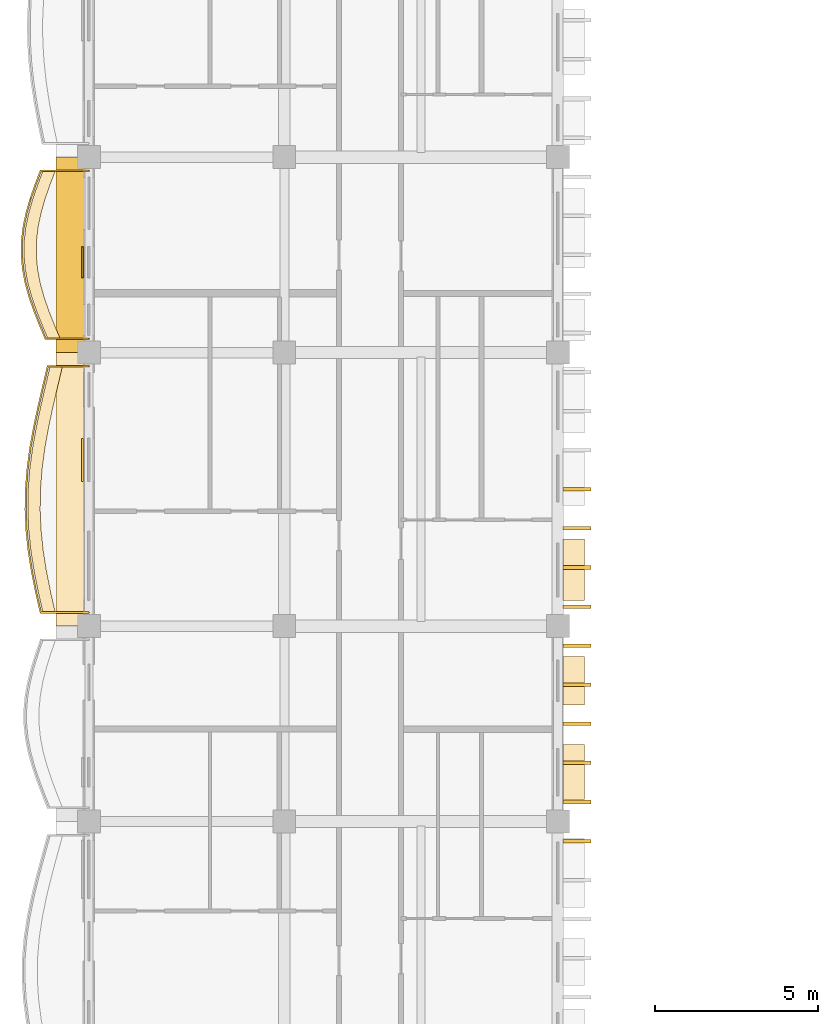
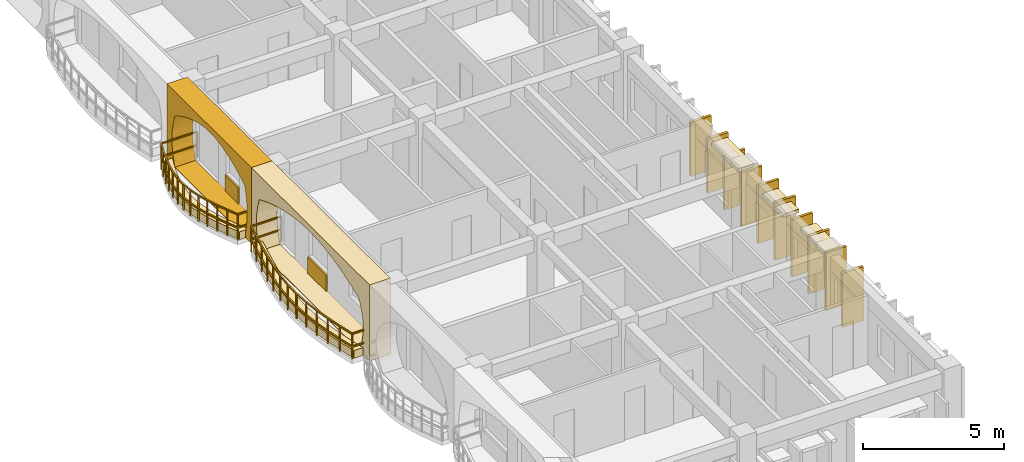
# One storey, part 49 of 70: 19 coverings, 2 railings.
"""IFC4 building model written with IfcOpenShell, lengths in metres."""

import ifcopenshell
import ifcopenshell.guid

model = None  # the IFC model being written
_history = None  # IfcOwnerHistory: only IFC2X3 demands one
_inside = {}  # id of a spatial element -> (the spatial element, [elements in it])
_under = {}  # id of a project, library or spatial element -> (it, [spatial elements below it])
_declared = {}  # id of a project -> (the project, [libraries it declares])
_typed = {}  # id of a type object -> (the type object, [elements of that type])
_made_of = {}  # id of a material, layer set ... -> (it, [elements and type objects made of it])


def new_model(schema):
    """Start an empty IFC model of exactly this schema.

    Asked for "IFC4X3", IfcOpenShell would pick the latest addendum, in which some entities
    have other attributes; the version numbers below select the first issue.
    IFC2X3 requires an IfcOwnerHistory on every rooted entity: one is made here for all.
    """
    global model, _history
    if schema == "IFC4X3":
        model = ifcopenshell.file(schema_version=(4, 3, 0, 0))
    else:
        model = ifcopenshell.file(schema=schema)
    _inside.clear()
    _under.clear()
    _declared.clear()
    _typed.clear()
    _made_of.clear()
    _history = None
    if model.schema == "IFC2X3":
        org = make("IfcOrganization", Name="unknown")
        user = make(
            "IfcPersonAndOrganization",
            ThePerson=make("IfcPerson", FamilyName="unknown"),
            TheOrganization=org,
        )
        app = make(
            "IfcApplication",
            ApplicationDeveloper=org,
            Version="unknown",
            ApplicationFullName="unknown",
            ApplicationIdentifier="unknown",
        )
        _history = make(
            "IfcOwnerHistory",
            OwningUser=user,
            OwningApplication=app,
            ChangeAction="ADDED",
            CreationDate=0,
        )
    return model


def make(cls, **values):
    """One entity of the class cls with the attributes given. An attribute that is None is left unset."""
    return model.create_entity(
        cls, **{name: value for name, value in values.items() if value is not None}
    )


def rooted(cls, **values):
    """An entity with a GlobalId (a new one), such as an element, a storey or a relation."""
    return make(cls, GlobalId=ifcopenshell.guid.new(), OwnerHistory=_history, **values)


def si_unit(unit_type, name, prefix=None):
    """IfcSIUnit, for example si_unit("LENGTHUNIT", "METRE", prefix="MILLI")."""
    return make("IfcSIUnit", UnitType=unit_type, Prefix=prefix, Name=name)


def assignment(units):
    """IfcUnitAssignment: the units of a project."""
    return None if units is None else make("IfcUnitAssignment", Units=units)


def point(xyz):
    """IfcCartesianPoint."""
    return None if xyz is None else make("IfcCartesianPoint", Coordinates=xyz)


def direction(xyz):
    """IfcDirection."""
    return None if xyz is None else make("IfcDirection", DirectionRatios=xyz)


def frame(location, z_axis=None, x_axis=None):
    """IfcAxis2Placement3D, a coordinate frame: its origin and axes. An axis left out is left unset."""
    return make(
        "IfcAxis2Placement3D",
        Location=point(location),
        Axis=direction(z_axis),
        RefDirection=direction(x_axis),
    )


def frame_2d(location, x_axis=None):
    """IfcAxis2Placement2D, a coordinate frame in the plane: its origin and x axis."""
    return make(
        "IfcAxis2Placement2D", Location=point(location), RefDirection=direction(x_axis)
    )


def origin():
    """The frame at (0, 0, 0) with its axes left unset."""
    return frame((0.0, 0.0, 0.0))


def origin_2d():
    """The frame at (0, 0) in the plane with its x axis left unset."""
    return frame_2d((0.0, 0.0))


def place(relative_to, where):
    """IfcLocalPlacement: puts the frame where relative to a parent placement (None: the world)."""
    return make(
        "IfcLocalPlacement", PlacementRelTo=relative_to, RelativePlacement=where
    )


def context(
    kind, dimensions, precision=None, world=None, true_north=None, identifier=None
):
    """IfcGeometricRepresentationContext, for example the 3D "Model" context."""
    return make(
        "IfcGeometricRepresentationContext",
        ContextIdentifier=identifier,
        ContextType=kind,
        CoordinateSpaceDimension=dimensions,
        Precision=precision,
        WorldCoordinateSystem=world,
        TrueNorth=true_north,
    )


def subcontext(parent, identifier, kind, view, scale=None):
    """IfcGeometricRepresentationSubContext, for example "Body" below "Model"."""
    return make(
        "IfcGeometricRepresentationSubContext",
        ContextIdentifier=identifier,
        ContextType=kind,
        ParentContext=parent,
        TargetScale=scale,
        TargetView=view,
    )


def project(units=None, contexts=None):
    """IfcProject with its units and contexts."""
    return rooted(
        "IfcProject",
        Name="project",
        RepresentationContexts=contexts,
        UnitsInContext=assignment(units),
    )


def spatial(cls, under=None, at=None, **own):
    """A site, building, storey or space (cls), placed at a placement, below another one or the project."""
    s = rooted(cls, ObjectPlacement=at, **own)
    if under is not None:
        _under.setdefault(under.id(), (under, []))[1].append(s)
    return s


def polyline(points):
    """IfcPolyline through the points."""
    return make("IfcPolyline", Points=[point(p) for p in points])


def profile(cls, at=None, kind="AREA", **sizes):
    """A parametric profile (cls). Its sizes go by their IFC names, for example OverallWidth=200.0."""
    return make(cls, ProfileType=kind, Position=at, **sizes)


def rectangle(**sizes):
    """IfcRectangleProfileDef."""
    return profile("IfcRectangleProfileDef", **sizes)


def outline(outer, holes=None, kind="AREA"):
    """IfcArbitraryClosedProfileDef: a profile drawn as a closed curve; with holes, ...WithVoids."""
    if holes is None:
        return make("IfcArbitraryClosedProfileDef", ProfileType=kind, OuterCurve=outer)
    return make(
        "IfcArbitraryProfileDefWithVoids",
        ProfileType=kind,
        OuterCurve=outer,
        InnerCurves=holes,
    )


def extrude(swept, where, along, depth):
    """IfcExtrudedAreaSolid: the profile swept, set in the frame where, extruded along a direction by depth."""
    return make(
        "IfcExtrudedAreaSolid",
        SweptArea=swept,
        Position=where,
        ExtrudedDirection=direction(along),
        Depth=depth,
    )


def shape(context_of_items, identifier, shape_type, items):
    """IfcShapeRepresentation: the items that make up one representation, for example the "Body"."""
    return make(
        "IfcShapeRepresentation",
        ContextOfItems=context_of_items,
        RepresentationIdentifier=identifier,
        RepresentationType=shape_type,
        Items=items,
    )


def material(Name=None, Category=None):
    """IfcMaterial."""
    return make("IfcMaterial", Name=Name, Category=Category)


def layer(
    of_material, thickness, ventilated=None, Name=None, Category=None, Priority=None
):
    """IfcMaterialLayer: one layer of a wall or slab, of a material (None: an air gap)."""
    return make(
        "IfcMaterialLayer",
        Material=of_material,
        LayerThickness=thickness,
        IsVentilated=ventilated,
        Name=Name,
        Category=Category,
        Priority=Priority,
    )


def layer_set(layers, Name=None):
    """IfcMaterialLayerSet."""
    return make("IfcMaterialLayerSet", MaterialLayers=layers, LayerSetName=Name)


def made_of(thing, what):
    """Note that an element or type object is made of a material, layer set ...; save() writes the relation."""
    if what is not None:
        _made_of.setdefault(what.id(), (what, []))[1].append(thing)
    return thing


def type_object(cls, material=None, **own):
    """A type object (cls), such as IfcWallType, which elements share."""
    return made_of(rooted(cls, **own), material)


def element(
    cls,
    number,
    at=None,
    inside=None,
    cuts=None,
    type_object=None,
    material=None,
    context=None,
    identifier="Body",
    shape_type=None,
    held_by="IfcProductDefinitionShape",
    body=None,
    shapes=None,
    **own,
):
    """One element of the class cls, such as IfcWall. Its Tag is "e" and its number.

    at: its placement. inside: the storey or other place that contains it. cuts: it is an
    opening in that element (IfcRelVoidsElement). A single representation is given by context,
    identifier, shape_type and body (its items); several are given by shapes. held_by: the class
    of the entity that holds the representations. save() writes the other relations.
    """
    e = rooted(cls, Tag="e%d" % number, ObjectPlacement=at, **own)
    if body is not None:
        shapes = [shape(context, identifier, shape_type, body)]
    if shapes is not None:
        e.Representation = make(held_by, Representations=shapes)
    if inside is not None:
        _inside.setdefault(inside.id(), (inside, []))[1].append(e)
    if cuts is not None:
        rooted(
            "IfcRelVoidsElement", RelatingBuildingElement=cuts, RelatedOpeningElement=e
        )
    if type_object is not None:
        _typed.setdefault(type_object.id(), (type_object, []))[1].append(e)
    return made_of(e, material)


def aggregate(whole, parts):
    """IfcRelAggregates: a whole, such as a stair, and the parts it consists of."""
    return rooted("IfcRelAggregates", RelatingObject=whole, RelatedObjects=parts)


def save(model, path):
    """Write the relations noted so far, then the file.

    IfcRelAggregates (storeys below a building ...), IfcRelContainedInSpatialStructure (elements
    in a storey), IfcRelDefinesByType, IfcRelAssociatesMaterial and IfcRelDeclares: one each for
    every whole, place, type object, material and project.
    """
    for whole, parts in _under.values():
        aggregate(whole, parts)
    for where, things in _inside.values():
        rooted(
            "IfcRelContainedInSpatialStructure",
            RelatedElements=things,
            RelatingStructure=where,
        )
    for kind, things in _typed.values():
        rooted("IfcRelDefinesByType", RelatedObjects=things, RelatingType=kind)
    for what, things in _made_of.values():
        rooted("IfcRelAssociatesMaterial", RelatedObjects=things, RelatingMaterial=what)
    for by, libraries in _declared.values():
        rooted("IfcRelDeclares", RelatingContext=by, RelatedDefinitions=libraries)
    model.write(path)


model = new_model("IFC4")

# Units and contexts
model_context = context("Model", 3, precision=1e-05, world=origin(), true_north=direction((0.0, 1.0)))
body_context = subcontext(model_context, "Body", "Model", "MODEL_VIEW")
ifc_project = project(units=[si_unit("LENGTHUNIT", "METRE"), si_unit("AREAUNIT", "SQUARE_METRE"), si_unit("VOLUMEUNIT", "CUBIC_METRE"), si_unit("PLANEANGLEUNIT", "RADIAN"), si_unit("MASSUNIT", "GRAM", prefix="KILO"), si_unit("THERMODYNAMICTEMPERATUREUNIT", "KELVIN")], contexts=[model_context])

# Site, building, storey
site_placement = place(None, origin())
site = spatial("IfcSite", under=ifc_project, at=site_placement, CompositionType="ELEMENT")
building_placement = place(site_placement, origin())
building = spatial("IfcBuilding", under=site, at=building_placement, Name="Thalorik Housing Commons", CompositionType="ELEMENT")
storey_placement = place(building_placement, frame((0.0, 0.0, 14.699951171875)))
storey = spatial("IfcBuildingStorey", under=building, at=storey_placement, Name="L04", CompositionType="ELEMENT", Elevation=14.699951171875)

# Coverings
ifc_material_1 = material(Name="Cobalt blue glazed ceramic facade tile panel", Category="masonry")
ifc_layer_1 = layer(ifc_material_1, 0.06005859375, Name="Cobalt blue glazed ceramic facade tile panel", Category="masonry")
ifc_layer_set_1 = layer_set([ifc_layer_1], Name="Cobalt blue glazed ceramic facade tile panel")
covering_type_1 = type_object("IfcCoveringType", Name="ARC-CLD-BLU-60", PredefinedType="CLADDING", material=ifc_layer_set_1)
covering_1_placement = place(storey_placement, frame((8.205078125, 97.574951171875, 0.05029296875), z_axis=(0.0, 0.0, 1.0), x_axis=(0.0, -1.0, 0.0)))
element("IfcCovering", 1, at=covering_1_placement, inside=storey, type_object=covering_type_1, Name="L04 De Stijl Recessed Window Spandrel 445", PredefinedType="CLADDING", context=body_context, shape_type="SweptSolid", body=[
    extrude(rectangle(XDim=0.949951171875, YDim=0.06005859375, at=origin_2d()), origin(), (0.0, 0.0, 1.0), 0.699951171875),
])
ifc_material_2 = material(Name="Precast concrete C40/50", Category="concrete")
ifc_layer_2 = layer(ifc_material_2, 0.85009765625, Name="Precast concrete C40/50", Category="concrete")
ifc_layer_set_2 = layer_set([ifc_layer_2], Name="Precast concrete C40/50")
covering_type_2 = type_object("IfcCoveringType", Name="ARC-CLD-CUSH-850", PredefinedType="CLADDING", material=ifc_layer_set_2)
covering_2_placement = place(storey_placement, frame((7.81494140625, 97.800048828125, 0.0), z_axis=(0.0, 0.0, 1.0), x_axis=(0.0, -1.0, 0.0)))
element("IfcCovering", 2, at=covering_2_placement, inside=storey, type_object=covering_type_2, Name="L04 White Precast Curved Cushion Bay Frame 444", PredefinedType="CLADDING", context=body_context, shape_type="SweptSolid", body=[
    extrude(outline(polyline([(-3.0, 0.0), (3.0, 0.0), (3.0, 3.300048828125), (-3.0, 3.300048828125), (-3.0, 0.0)]), holes=[polyline([(2.52001953125, 0.02490234375), (2.621337890625, 0.394287109375), (2.68212890625, 0.76318359375), (2.702392578125, 1.132568359375), (2.68212890625, 1.501708984375), (2.621337890625, 1.870849609375), (2.52001953125, 2.239990234375), (2.107421875, 2.4833984375), (1.695068359375, 2.6748046875), (1.282470703125, 2.82958984375), (0.8701171875, 2.94482421875), (0.45751953125, 3.01611328125), (0.044921875, 3.0400390625), (-0.367431640625, 3.01611328125), (-0.780029296875, 2.94482421875), (-1.1923828125, 2.82958984375), (-1.60498046875, 2.6748046875), (-2.017578125, 2.4833984375), (-2.429931640625, 2.239990234375), (-2.55029296875, 1.870849609375), (-2.62255859375, 1.501708984375), (-2.646484375, 1.132568359375), (-2.62255859375, 0.76318359375), (-2.55029296875, 0.394287109375), (-2.429931640625, 0.02490234375), (2.52001953125, 0.02490234375)])]), frame((0.0, 0.425048828125, 0.0), z_axis=(0.0, -1.0, 0.0), x_axis=(1.0, 0.0, 0.0)), (0.0, 0.0, 1.0), 0.85009765625),
])
covering_3_placement = place(storey_placement, frame((7.81494140625, 90.60009765625, 0.0), z_axis=(0.0, 0.0, 1.0), x_axis=(0.0, -1.0, 0.0)))
element("IfcCovering", 3, at=covering_3_placement, inside=storey, type_object=covering_type_2, Name="L04 White Precast Curved Cushion Bay Frame 446", PredefinedType="CLADDING", context=body_context, shape_type="SweptSolid", body=[
    extrude(outline(polyline([(-4.199951171875, 0.0), (4.199951171875, 0.0), (4.199951171875, 3.300048828125), (-4.199951171875, 3.300048828125), (-4.199951171875, 0.0)]), holes=[polyline([(3.449951171875, 0.02490234375), (3.61669921875, 0.3974609375), (3.716796875, 0.77001953125), (3.75, 1.142578125), (3.716796875, 1.514892578125), (3.61669921875, 1.887451171875), (3.449951171875, 2.260009765625), (2.860107421875, 2.497314453125), (2.27001953125, 2.683837890625), (1.679931640625, 2.8349609375), (1.090087890625, 2.947265625), (0.5, 3.0166015625), (-0.090087890625, 3.0400390625), (-0.679931640625, 3.0166015625), (-1.27001953125, 2.947265625), (-1.860107421875, 2.8349609375), (-2.449951171875, 2.683837890625), (-3.0400390625, 2.497314453125), (-3.6298828125, 2.260009765625), (-3.750244140625, 1.887451171875), (-3.822509765625, 1.514892578125), (-3.8466796875, 1.142578125), (-3.822509765625, 0.77001953125), (-3.750244140625, 0.3974609375), (-3.6298828125, 0.02490234375), (3.449951171875, 0.02490234375)])]), frame((0.0, 0.425048828125, 0.0), z_axis=(0.0, -1.0, 0.0), x_axis=(1.0, 0.0, 0.0)), (0.0, 0.0, 1.0), 0.85009765625),
])
ifc_layer_3 = layer(ifc_material_2, 0.85009765625, Name="Precast concrete C40/50", Category="concrete")
ifc_layer_set_3 = layer_set([ifc_layer_3], Name="Precast concrete C40/50")
covering_type_3 = type_object("IfcCoveringType", Name="ARC-CLD-FIN-850", PredefinedType="CLADDING", material=ifc_layer_set_3)
covering_4_placement = place(storey_placement, frame((23.385009765625, 79.800048828125, 0.0400390625), z_axis=(0.0, 0.0, 1.0), x_axis=(0.0, 1.0, 0.0)))
element("IfcCovering", 4, at=covering_4_placement, inside=storey, type_object=covering_type_3, Name="L04 Courtyard Precast Vertical Brise-Soleil Fin 475", PredefinedType="CLADDING", context=body_context, shape_type="SweptSolid", body=[
    extrude(rectangle(XDim=0.110107421875, YDim=0.85009765625, at=origin_2d()), origin(), (0.0, 0.0, 1.0), 2.344970703125),
])
for number, where, z_axis, x_axis, name in (
    (5, (23.385009765625, 81.0, 0.0400390625), (0.0, 0.0, 1.0), (0.0, 1.0, 0.0), "L04 Courtyard Precast Vertical Brise-Soleil Fin 479"),
    (6, (23.385009765625, 82.199951171875, 0.0400390625), (0.0, 0.0, 1.0), (0.0, 1.0, 0.0), "L04 Courtyard Precast Vertical Brise-Soleil Fin 480"),
    (7, (23.385009765625, 83.39990234375, 0.0400390625), (0.0, 0.0, 1.0), (0.0, 1.0, 0.0), "L04 Courtyard Precast Vertical Brise-Soleil Fin 481"),
    (8, (23.385009765625, 84.60009765625, 0.0400390625), (0.0, 0.0, 1.0), (0.0, 1.0, 0.0), "L04 Courtyard Precast Vertical Brise-Soleil Fin 482"),
    (9, (23.385009765625, 85.800048828125, 0.0400390625), (0.0, 0.0, 1.0), (0.0, 1.0, 0.0), "L04 Courtyard Precast Vertical Brise-Soleil Fin 483"),
):
    element("IfcCovering", number, at=place(storey_placement, frame(where, z_axis=z_axis, x_axis=x_axis)), inside=storey, type_object=covering_type_3, Name=name, PredefinedType="CLADDING", context=body_context, shape_type="SweptSolid", body=[
        extrude(rectangle(XDim=0.110107421875, YDim=0.85009765625, at=origin_2d()), origin(), (0.0, 0.0, 1.0), 2.4951171875),
    ])
for number, where, z_axis, x_axis, name in (
    (10, (23.385009765625, 87.0, 0.0400390625), (0.0, 0.0, 1.0), (0.0, 1.0, 0.0), "L04 Courtyard Precast Vertical Brise-Soleil Fin 486"),
    (11, (23.385009765625, 88.199951171875, 0.0400390625), (0.0, 0.0, 1.0), (0.0, 1.0, 0.0), "L04 Courtyard Precast Vertical Brise-Soleil Fin 487"),
    (12, (23.385009765625, 89.39990234375, 0.0400390625), (0.0, 0.0, 1.0), (0.0, 1.0, 0.0), "L04 Courtyard Precast Vertical Brise-Soleil Fin 488"),
    (13, (23.385009765625, 90.60009765625, 0.0400390625), (0.0, 0.0, 1.0), (0.0, 1.0, 0.0), "L04 Courtyard Precast Vertical Brise-Soleil Fin 489"),
):
    element("IfcCovering", number, at=place(storey_placement, frame(where, z_axis=z_axis, x_axis=x_axis)), inside=storey, type_object=covering_type_3, Name=name, PredefinedType="CLADDING", context=body_context, shape_type="SweptSolid", body=[
        extrude(rectangle(XDim=0.110107421875, YDim=0.85009765625, at=origin_2d()), origin(), (0.0, 0.0, 1.0), 2.344970703125),
    ])
ifc_layer_4 = layer(ifc_material_2, 0.64990234375, Name="Precast concrete C40/50", Category="concrete")
ifc_layer_set_4 = layer_set([ifc_layer_4], Name="Precast concrete C40/50")
covering_type_4 = type_object("IfcCoveringType", Name="ARC-CLD-HOOD-650", PredefinedType="CLADDING", material=ifc_layer_set_4)
covering_5_placement = place(storey_placement, frame((23.284912109375, 81.9150390625, 2.39013671875), z_axis=(0.0, 0.0, 1.0), x_axis=(0.0, 1.0, 0.0)))
element("IfcCovering", 14, at=covering_5_placement, inside=storey, type_object=covering_type_4, Name="L04 Courtyard Precast Window Sun-Hood 484", PredefinedType="CLADDING", context=body_context, shape_type="SweptSolid", body=[
    extrude(rectangle(XDim=1.68994140625, YDim=0.64990234375, at=origin_2d()), origin(), (0.0, 0.0, 1.0), 0.139892578125),
])
covering_6_placement = place(storey_placement, frame((23.284912109375, 84.72509765625, 2.240234375), z_axis=(0.0, 0.0, 1.0), x_axis=(0.0, 1.0, 0.0)))
element("IfcCovering", 15, at=covering_6_placement, inside=storey, type_object=covering_type_4, Name="L04 Courtyard Precast Window Sun-Hood 485", PredefinedType="CLADDING", context=body_context, shape_type="SweptSolid", body=[
    extrude(rectangle(XDim=1.489990234375, YDim=0.64990234375, at=origin_2d()), origin(), (0.0, 0.0, 1.0), 0.139892578125),
])
covering_7_placement = place(storey_placement, frame((23.284912109375, 88.126220703125, 2.27490234375), z_axis=(0.0, 0.0, 1.0), x_axis=(0.0, 1.0, 0.0)))
element("IfcCovering", 16, at=covering_7_placement, inside=storey, type_object=covering_type_4, Name="L04 Courtyard Precast Window Sun-Hood 493", PredefinedType="CLADDING", context=body_context, shape_type="SweptSolid", body=[
    extrude(rectangle(XDim=1.889892578125, YDim=0.64990234375, at=origin_2d()), origin(), (0.0, 0.0, 1.0), 0.139892578125),
])
ifc_material_3 = material(Name="Mineral ochre architectural terracotta panel", Category="masonry")
ifc_layer_5 = layer(ifc_material_3, 0.06494140625, Name="Mineral ochre architectural terracotta panel", Category="masonry")
ifc_layer_set_5 = layer_set([ifc_layer_5], Name="Mineral ochre architectural terracotta panel")
covering_type_5 = type_object("IfcCoveringType", Name="ARC-CLD-YEL-65", PredefinedType="CLADDING", material=ifc_layer_set_5)
covering_8_placement = place(storey_placement, frame((8.202392578125, 91.5048828125, 0.05029296875), z_axis=(0.0, 0.0, 1.0), x_axis=(0.0, -1.0, 0.0)))
element("IfcCovering", 17, at=covering_8_placement, inside=storey, type_object=covering_type_5, Name="L04 De Stijl Recessed Window Spandrel 447", PredefinedType="CLADDING", context=body_context, shape_type="SweptSolid", body=[
    extrude(rectangle(XDim=1.320068359375, YDim=0.06494140625, at=origin_2d()), origin(), (0.0, 0.0, 1.0), 0.699951171875),
])
ifc_material_4 = material(Name="Planted vegetated substrate and terracotta trough", Category="masonry")
ifc_layer_6 = layer(ifc_material_4, 0.340087890625, Name="Planted vegetated substrate and terracotta trough", Category="masonry")
ifc_layer_set_6 = layer_set([ifc_layer_6], Name="Planted vegetated substrate and terracotta trough")
covering_type_6 = type_object("IfcCoveringType", Name="ARC-COV-PLANTER", PredefinedType="USERDEFINED", material=ifc_layer_set_6)
covering_9_placement = place(storey_placement, origin())
element("IfcCovering", 18, at=covering_9_placement, inside=storey, type_object=covering_type_6, Name="L04 Balcony Slab-Edge Planted Trough 5344", ObjectType="PLANTER", PredefinedType="USERDEFINED", context=body_context, shape_type="SweptSolid", body=[
    extrude(outline(polyline([(7.20703125, 94.3798828125), (7.059326171875, 93.75), (6.91357421875, 93.1201171875), (6.77978515625, 92.489990234375), (6.667236328125, 91.860107421875), (6.58349609375, 91.22998046875), (6.534423828125, 90.60009765625), (6.523681640625, 89.969970703125), (6.552490234375, 89.340087890625), (6.618408203125, 88.7099609375), (6.7177734375, 88.080078125), (6.84375, 87.449951171875), (6.98779296875, 86.820068359375), (7.367919921875, 86.820068359375), (7.2236328125, 87.449951171875), (7.09765625, 88.080078125), (6.998291015625, 88.7099609375), (6.932373046875, 89.340087890625), (6.90380859375, 89.969970703125), (6.91455078125, 90.60009765625), (6.96337890625, 91.22998046875), (7.04736328125, 91.860107421875), (7.159912109375, 92.489990234375), (7.293701171875, 93.1201171875), (7.439208984375, 93.75), (7.5869140625, 94.3798828125), (7.20703125, 94.3798828125)])), origin(), (0.0, 0.0, 1.0), 0.340087890625),
])
covering_10_placement = place(storey_placement, origin())
element("IfcCovering", 19, at=covering_10_placement, inside=storey, type_object=covering_type_6, Name="L04 Balcony Slab-Edge Planted Trough 5345", ObjectType="PLANTER", PredefinedType="USERDEFINED", context=body_context, shape_type="SweptSolid", body=[
    extrude(outline(polyline([(6.98876953125, 100.3798828125), (6.824951171875, 99.949951171875), (6.676025390625, 99.52001953125), (6.55224609375, 99.090087890625), (6.4619140625, 98.659912109375), (6.41162109375, 98.22998046875), (6.40478515625, 97.800048828125), (6.44287109375, 97.3701171875), (6.5234375, 96.93994140625), (6.64208984375, 96.510009765625), (6.790771484375, 96.080078125), (6.960693359375, 95.64990234375), (7.140625, 95.219970703125), (7.520751953125, 95.219970703125), (7.3408203125, 95.64990234375), (7.1708984375, 96.080078125), (7.02197265625, 96.510009765625), (6.903564453125, 96.93994140625), (6.822998046875, 97.3701171875), (6.784912109375, 97.800048828125), (6.79150390625, 98.22998046875), (6.841796875, 98.659912109375), (6.93212890625, 99.090087890625), (7.05615234375, 99.52001953125), (7.205078125, 99.949951171875), (7.368896484375, 100.3798828125), (6.98876953125, 100.3798828125)])), origin(), (0.0, 0.0, 1.0), 0.340087890625),
])

# Railings
ifc_material_5 = material(Name="Steel S355", Category="steel")
railing_type_1 = type_object("IfcRailingType", Name="ARC-RL-BAL-112", PredefinedType="BALUSTRADE", material=ifc_material_5)
railing_1_placement = place(storey_placement, frame((8.39990234375, 94.3798828125, 0.0)))
element("IfcRailing", 20, at=railing_1_placement, inside=storey, type_object=railing_type_1, Name="L04 Cushion Balcony Guardrail 28", PredefinedType="BALUSTRADE", context=body_context, shape_type="SweptSolid", body=[
    extrude(rectangle(XDim=0.050048828125, YDim=0.050048828125, at=origin_2d()), frame((0.0, 0.0, 1.09521484375), z_axis=(-1.0, 0.0, 0.0), x_axis=(0.0, -1.0, 0.0)), (0.0, 0.0, 1.0), 1.262939453125),
    extrude(rectangle(XDim=0.050048828125, YDim=0.050048828125, at=origin_2d()), frame((0.0, 0.0, 0.53515625), z_axis=(-1.0, 0.0, 0.0), x_axis=(0.0, -1.0, 0.0)), (0.0, 0.0, 1.0), 1.262939453125),
    extrude(rectangle(XDim=0.050048828125, YDim=0.050048828125, at=origin_2d()), frame((-1.262939453125, 0.0, 1.09521484375), z_axis=(-0.228303105929, -0.973590104625, 0.0), x_axis=(0.973590104625, -0.228303105929, 0.0)), (0.0, 0.0, 1.0), 0.64697265625),
    extrude(rectangle(XDim=0.050048828125, YDim=0.050048828125, at=origin_2d()), frame((-1.262939453125, 0.0, 0.53515625), z_axis=(-0.228303105929, -0.973590104625, 0.0), x_axis=(0.973590104625, -0.228303105929, 0.0)), (0.0, 0.0, 1.0), 0.64697265625),
    extrude(rectangle(XDim=0.050048828125, YDim=0.050048828125, at=origin_2d()), frame((-1.41064453125, -0.6298828125, 1.09521484375), z_axis=(-0.225438624418, -0.974257371858, 0.0), x_axis=(0.974257371858, -0.225438624418, 0.0)), (0.0, 0.0, 1.0), 0.646484375),
    extrude(rectangle(XDim=0.050048828125, YDim=0.050048828125, at=origin_2d()), frame((-1.41064453125, -0.6298828125, 0.53515625), z_axis=(-0.225438624418, -0.974257371858, 0.0), x_axis=(0.974257371858, -0.225438624418, 0.0)), (0.0, 0.0, 1.0), 0.646484375),
    extrude(rectangle(XDim=0.050048828125, YDim=0.050048828125, at=origin_2d()), frame((-1.556396484375, -1.259765625, 1.09521484375), z_axis=(-0.207328346642, -0.978271412584, 0.0), x_axis=(0.978271412584, -0.207328346642, 0.0)), (0.0, 0.0, 1.0), 0.64404296875),
    extrude(rectangle(XDim=0.050048828125, YDim=0.050048828125, at=origin_2d()), frame((-1.556396484375, -1.259765625, 0.53515625), z_axis=(-0.207328346642, -0.978271412584, 0.0), x_axis=(0.978271412584, -0.207328346642, 0.0)), (0.0, 0.0, 1.0), 0.64404296875),
    extrude(rectangle(XDim=0.050048828125, YDim=0.050048828125, at=origin_2d()), frame((-1.68994140625, -1.889892578125, 1.09521484375), z_axis=(-0.175896284001, -0.984408704388, 0.0), x_axis=(0.984408704388, -0.175896284001, 0.0)), (0.0, 0.0, 1.0), 0.639892578125),
    extrude(rectangle(XDim=0.050048828125, YDim=0.050048828125, at=origin_2d()), frame((-1.68994140625, -1.889892578125, 0.53515625), z_axis=(-0.175896284001, -0.984408704388, 0.0), x_axis=(0.984408704388, -0.175896284001, 0.0)), (0.0, 0.0, 1.0), 0.639892578125),
    extrude(rectangle(XDim=0.050048828125, YDim=0.050048828125, at=origin_2d()), frame((-1.802490234375, -2.519775390625, 1.09521484375), z_axis=(-0.132113407615, -0.991234607713, 0.0), x_axis=(0.991234607713, -0.132113407615, 0.0)), (0.0, 0.0, 1.0), 0.6357421875),
    extrude(rectangle(XDim=0.050048828125, YDim=0.050048828125, at=origin_2d()), frame((-1.802490234375, -2.519775390625, 0.53515625), z_axis=(-0.132113407615, -0.991234607713, 0.0), x_axis=(0.991234607713, -0.132113407615, 0.0)), (0.0, 0.0, 1.0), 0.6357421875),
    extrude(rectangle(XDim=0.050048828125, YDim=0.050048828125, at=origin_2d()), frame((-1.886474609375, -3.14990234375, 1.09521484375), z_axis=(-0.077287507527, -0.997008847092, 0.0), x_axis=(0.997008847092, -0.077287507527, 0.0)), (0.0, 0.0, 1.0), 0.6318359375),
    extrude(rectangle(XDim=0.050048828125, YDim=0.050048828125, at=origin_2d()), frame((-1.886474609375, -3.14990234375, 0.53515625), z_axis=(-0.077287507527, -0.997008847092, 0.0), x_axis=(0.997008847092, -0.077287507527, 0.0)), (0.0, 0.0, 1.0), 0.6318359375),
    extrude(rectangle(XDim=0.050048828125, YDim=0.050048828125, at=origin_2d()), frame((-1.935302734375, -3.77978515625, 1.09521484375), z_axis=(-0.01704517927, -0.999854720379, 0.0), x_axis=(0.999854720379, -0.01704517927, 0.0)), (0.0, 0.0, 1.0), 0.630126953125),
    extrude(rectangle(XDim=0.050048828125, YDim=0.050048828125, at=origin_2d()), frame((-1.935302734375, -3.77978515625, 0.53515625), z_axis=(-0.01704517927, -0.999854720379, 0.0), x_axis=(0.999854720379, -0.01704517927, 0.0)), (0.0, 0.0, 1.0), 0.630126953125),
    extrude(rectangle(XDim=0.050048828125, YDim=0.050048828125, at=origin_2d()), frame((-1.946044921875, -4.409912109375, 1.09521484375), z_axis=(0.04530227868, -0.998973324742, 0.0), x_axis=(0.998973324742, 0.04530227868, 0.0)), (0.0, 0.0, 1.0), 0.630615234375),
    extrude(rectangle(XDim=0.050048828125, YDim=0.050048828125, at=origin_2d()), frame((-1.946044921875, -4.409912109375, 0.53515625), z_axis=(0.04530227868, -0.998973324742, 0.0), x_axis=(0.998973324742, 0.04530227868, 0.0)), (0.0, 0.0, 1.0), 0.630615234375),
    extrude(rectangle(XDim=0.050048828125, YDim=0.050048828125, at=origin_2d()), frame((-1.91748046875, -5.039794921875, 1.09521484375), z_axis=(0.104042874658, -0.994572812937, 0.0), x_axis=(0.994572812937, 0.104042874658, 0.0)), (0.0, 0.0, 1.0), 0.633544921875),
    extrude(rectangle(XDim=0.050048828125, YDim=0.050048828125, at=origin_2d()), frame((-1.91748046875, -5.039794921875, 0.53515625), z_axis=(0.104042874658, -0.994572812937, 0.0), x_axis=(0.994572812937, 0.104042874658, 0.0)), (0.0, 0.0, 1.0), 0.633544921875),
    extrude(rectangle(XDim=0.050048828125, YDim=0.050048828125, at=origin_2d()), frame((-1.8515625, -5.669921875, 1.09521484375), z_axis=(0.155824948491, -0.987784685763, 0.0), x_axis=(0.987784685763, 0.155824948491, 0.0)), (0.0, 0.0, 1.0), 0.6376953125),
    extrude(rectangle(XDim=0.050048828125, YDim=0.050048828125, at=origin_2d()), frame((-1.8515625, -5.669921875, 0.53515625), z_axis=(0.155824948491, -0.987784685763, 0.0), x_axis=(0.987784685763, 0.155824948491, 0.0)), (0.0, 0.0, 1.0), 0.6376953125),
    extrude(rectangle(XDim=0.050048828125, YDim=0.050048828125, at=origin_2d()), frame((-1.752197265625, -6.2998046875, 1.09521484375), z_axis=(0.196043071434, -0.980595285601, 0.0), x_axis=(0.980595285601, 0.196043071434, 0.0)), (0.0, 0.0, 1.0), 0.642578125),
    extrude(rectangle(XDim=0.050048828125, YDim=0.050048828125, at=origin_2d()), frame((-1.752197265625, -6.2998046875, 0.53515625), z_axis=(0.196043071434, -0.980595285601, 0.0), x_axis=(0.980595285601, 0.196043071434, 0.0)), (0.0, 0.0, 1.0), 0.642578125),
    extrude(rectangle(XDim=0.050048828125, YDim=0.050048828125, at=origin_2d()), frame((-1.626220703125, -6.929931640625, 1.09521484375), z_axis=(0.222927395354, -0.974835050868, 0.0), x_axis=(0.974835050868, 0.222927395354, 0.0)), (0.0, 0.0, 1.0), 0.646240234375),
    extrude(rectangle(XDim=0.050048828125, YDim=0.050048828125, at=origin_2d()), frame((-1.626220703125, -6.929931640625, 0.53515625), z_axis=(0.222927395354, -0.974835050868, 0.0), x_axis=(0.974835050868, 0.222927395354, 0.0)), (0.0, 0.0, 1.0), 0.646240234375),
    extrude(rectangle(XDim=0.050048828125, YDim=0.050048828125, at=origin_2d()), frame((-1.482177734375, -7.559814453125, 1.09521484375), z_axis=(1.0, 0.0, 0.0), x_axis=(0.0, 1.0, 0.0)), (0.0, 0.0, 1.0), 1.482177734375),
    extrude(rectangle(XDim=0.050048828125, YDim=0.050048828125, at=origin_2d()), frame((-1.482177734375, -7.559814453125, 0.53515625), z_axis=(1.0, 0.0, 0.0), x_axis=(0.0, 1.0, 0.0)), (0.0, 0.0, 1.0), 1.482177734375),
    extrude(rectangle(XDim=0.0419921875, YDim=0.0419921875, at=origin_2d()), origin(), (0.0, 0.0, 1.0), 1.070068359375),
    extrude(rectangle(XDim=0.0419921875, YDim=0.0419921875, at=origin_2d()), frame((-1.262939453125, 0.0, 0.0)), (0.0, 0.0, 1.0), 1.070068359375),
    extrude(rectangle(XDim=0.0419921875, YDim=0.0419921875, at=origin_2d()), frame((-1.41064453125, -0.6298828125, 0.0)), (0.0, 0.0, 1.0), 1.070068359375),
    extrude(rectangle(XDim=0.0419921875, YDim=0.0419921875, at=origin_2d()), frame((-1.556396484375, -1.259765625, 0.0)), (0.0, 0.0, 1.0), 1.070068359375),
    extrude(rectangle(XDim=0.0419921875, YDim=0.0419921875, at=origin_2d()), frame((-1.68994140625, -1.889892578125, 0.0)), (0.0, 0.0, 1.0), 1.070068359375),
    extrude(rectangle(XDim=0.0419921875, YDim=0.0419921875, at=origin_2d()), frame((-1.802490234375, -2.519775390625, 0.0)), (0.0, 0.0, 1.0), 1.070068359375),
    extrude(rectangle(XDim=0.0419921875, YDim=0.0419921875, at=origin_2d()), frame((-1.886474609375, -3.14990234375, 0.0)), (0.0, 0.0, 1.0), 1.070068359375),
    extrude(rectangle(XDim=0.0419921875, YDim=0.0419921875, at=origin_2d()), frame((-1.935302734375, -3.77978515625, 0.0)), (0.0, 0.0, 1.0), 1.070068359375),
    extrude(rectangle(XDim=0.0419921875, YDim=0.0419921875, at=origin_2d()), frame((-1.946044921875, -4.409912109375, 0.0)), (0.0, 0.0, 1.0), 1.070068359375),
    extrude(rectangle(XDim=0.0419921875, YDim=0.0419921875, at=origin_2d()), frame((-1.91748046875, -5.039794921875, 0.0)), (0.0, 0.0, 1.0), 1.070068359375),
    extrude(rectangle(XDim=0.0419921875, YDim=0.0419921875, at=origin_2d()), frame((-1.8515625, -5.669921875, 0.0)), (0.0, 0.0, 1.0), 1.070068359375),
    extrude(rectangle(XDim=0.0419921875, YDim=0.0419921875, at=origin_2d()), frame((-1.752197265625, -6.2998046875, 0.0)), (0.0, 0.0, 1.0), 1.070068359375),
    extrude(rectangle(XDim=0.0419921875, YDim=0.0419921875, at=origin_2d()), frame((-1.626220703125, -6.929931640625, 0.0)), (0.0, 0.0, 1.0), 1.070068359375),
    extrude(rectangle(XDim=0.0419921875, YDim=0.0419921875, at=origin_2d()), frame((-1.482177734375, -7.559814453125, 0.0)), (0.0, 0.0, 1.0), 1.070068359375),
    extrude(rectangle(XDim=0.0419921875, YDim=0.0419921875, at=origin_2d()), frame((0.0, -7.559814453125, 0.0)), (0.0, 0.0, 1.0), 1.070068359375),
])
railing_type_2 = type_object("IfcRailingType", Name="ARC-RL-BAL-115", PredefinedType="BALUSTRADE", material=ifc_material_5)
railing_2_placement = place(storey_placement, frame((8.39990234375, 100.3798828125, 0.0)))
element("IfcRailing", 21, at=railing_2_placement, inside=storey, type_object=railing_type_2, Name="L04 Cushion Balcony Guardrail 29", PredefinedType="BALUSTRADE", context=body_context, shape_type="SweptSolid", body=[
    extrude(rectangle(XDim=0.050048828125, YDim=0.050048828125, at=origin_2d()), frame((0.0, 0.0, 1.125), z_axis=(-1.0, 0.0, 0.0), x_axis=(0.0, -1.0, 0.0)), (0.0, 0.0, 1.0), 1.481201171875),
    extrude(rectangle(XDim=0.050048828125, YDim=0.050048828125, at=origin_2d()), frame((0.0, 0.0, 0.5498046875), z_axis=(-1.0, 0.0, 0.0), x_axis=(0.0, -1.0, 0.0)), (0.0, 0.0, 1.0), 1.481201171875),
    extrude(rectangle(XDim=0.050048828125, YDim=0.050048828125, at=origin_2d()), frame((-1.481201171875, 0.0, 1.125), z_axis=(-0.35606152574, -0.934462513902, 0.0), x_axis=(0.934462513902, -0.35606152574, 0.0)), (0.0, 0.0, 1.0), 0.460205078125),
    extrude(rectangle(XDim=0.050048828125, YDim=0.050048828125, at=origin_2d()), frame((-1.481201171875, 0.0, 0.5498046875), z_axis=(-0.35606152574, -0.934462513902, 0.0), x_axis=(0.934462513902, -0.35606152574, 0.0)), (0.0, 0.0, 1.0), 0.460205078125),
    extrude(rectangle(XDim=0.050048828125, YDim=0.050048828125, at=origin_2d()), frame((-1.64501953125, -0.429931640625, 1.125), z_axis=(-0.326834060317, -0.945081740918, 0.0), x_axis=(0.945081740918, -0.326834060317, 0.0)), (0.0, 0.0, 1.0), 0.454833984375),
    extrude(rectangle(XDim=0.050048828125, YDim=0.050048828125, at=origin_2d()), frame((-1.64501953125, -0.429931640625, 0.5498046875), z_axis=(-0.326834060317, -0.945081740918, 0.0), x_axis=(0.945081740918, -0.326834060317, 0.0)), (0.0, 0.0, 1.0), 0.454833984375),
    extrude(rectangle(XDim=0.050048828125, YDim=0.050048828125, at=origin_2d()), frame((-1.793701171875, -0.85986328125, 1.125), z_axis=(-0.277170337791, -0.960820796949, 0.0), x_axis=(0.960820796949, -0.277170337791, 0.0)), (0.0, 0.0, 1.0), 0.447509765625),
    extrude(rectangle(XDim=0.050048828125, YDim=0.050048828125, at=origin_2d()), frame((-1.793701171875, -0.85986328125, 0.5498046875), z_axis=(-0.277170337791, -0.960820796949, 0.0), x_axis=(0.960820796949, -0.277170337791, 0.0)), (0.0, 0.0, 1.0), 0.447509765625),
    extrude(rectangle(XDim=0.050048828125, YDim=0.050048828125, at=origin_2d()), frame((-1.917724609375, -1.289794921875, 1.125), z_axis=(-0.205506595002, -0.978655730791, 0.0), x_axis=(0.978655730791, -0.205506595002, 0.0)), (0.0, 0.0, 1.0), 0.439453125),
    extrude(rectangle(XDim=0.050048828125, YDim=0.050048828125, at=origin_2d()), frame((-1.917724609375, -1.289794921875, 0.5498046875), z_axis=(-0.205506595002, -0.978655730791, 0.0), x_axis=(0.978655730791, -0.205506595002, 0.0)), (0.0, 0.0, 1.0), 0.439453125),
    extrude(rectangle(XDim=0.050048828125, YDim=0.050048828125, at=origin_2d()), frame((-2.008056640625, -1.719970703125, 1.125), z_axis=(-0.116186735796, -0.99322738707, 0.0), x_axis=(0.99322738707, -0.116186735796, 0.0)), (0.0, 0.0, 1.0), 0.432861328125),
    extrude(rectangle(XDim=0.050048828125, YDim=0.050048828125, at=origin_2d()), frame((-2.008056640625, -1.719970703125, 0.5498046875), z_axis=(-0.116186735796, -0.99322738707, 0.0), x_axis=(0.99322738707, -0.116186735796, 0.0)), (0.0, 0.0, 1.0), 0.432861328125),
    extrude(rectangle(XDim=0.050048828125, YDim=0.050048828125, at=origin_2d()), frame((-2.058349609375, -2.14990234375, 1.125), z_axis=(-0.015330395815, -0.999882482577, 0.0), x_axis=(0.999882482577, -0.015330395815, 0.0)), (0.0, 0.0, 1.0), 0.429931640625),
    extrude(rectangle(XDim=0.050048828125, YDim=0.050048828125, at=origin_2d()), frame((-2.058349609375, -2.14990234375, 0.5498046875), z_axis=(-0.015330395815, -0.999882482577, 0.0), x_axis=(0.999882482577, -0.015330395815, 0.0)), (0.0, 0.0, 1.0), 0.429931640625),
    extrude(rectangle(XDim=0.050048828125, YDim=0.050048828125, at=origin_2d()), frame((-2.06494140625, -2.579833984375, 1.125), z_axis=(0.087679192705, -0.996148763572, 0.0), x_axis=(0.996148763572, 0.087679192705, 0.0)), (0.0, 0.0, 1.0), 0.431640625),
    extrude(rectangle(XDim=0.050048828125, YDim=0.050048828125, at=origin_2d()), frame((-2.06494140625, -2.579833984375, 0.5498046875), z_axis=(0.087679192705, -0.996148763572, 0.0), x_axis=(0.996148763572, 0.087679192705, 0.0)), (0.0, 0.0, 1.0), 0.431640625),
    extrude(rectangle(XDim=0.050048828125, YDim=0.050048828125, at=origin_2d()), frame((-2.027099609375, -3.009765625, 1.125), z_axis=(0.184625297276, -0.982808984292, 0.0), x_axis=(0.982808984292, 0.184625297276, 0.0)), (0.0, 0.0, 1.0), 0.437744140625),
    extrude(rectangle(XDim=0.050048828125, YDim=0.050048828125, at=origin_2d()), frame((-2.027099609375, -3.009765625, 0.5498046875), z_axis=(0.184625297276, -0.982808984292, 0.0), x_axis=(0.982808984292, 0.184625297276, 0.0)), (0.0, 0.0, 1.0), 0.437744140625),
    extrude(rectangle(XDim=0.050048828125, YDim=0.050048828125, at=origin_2d()), frame((-1.9462890625, -3.43994140625, 1.125), z_axis=(0.265525476527, -0.964103843637, 0.0), x_axis=(0.964103843637, 0.265525476527, 0.0)), (0.0, 0.0, 1.0), 0.446044921875),
    extrude(rectangle(XDim=0.050048828125, YDim=0.050048828125, at=origin_2d()), frame((-1.9462890625, -3.43994140625, 0.5498046875), z_axis=(0.265525476527, -0.964103843637, 0.0), x_axis=(0.964103843637, 0.265525476527, 0.0)), (0.0, 0.0, 1.0), 0.446044921875),
    extrude(rectangle(XDim=0.050048828125, YDim=0.050048828125, at=origin_2d()), frame((-1.827880859375, -3.869873046875, 1.125), z_axis=(0.326834060317, -0.945081740918, 0.0), x_axis=(0.945081740918, 0.326834060317, 0.0)), (0.0, 0.0, 1.0), 0.454833984375),
    extrude(rectangle(XDim=0.050048828125, YDim=0.050048828125, at=origin_2d()), frame((-1.827880859375, -3.869873046875, 0.5498046875), z_axis=(0.326834060317, -0.945081740918, 0.0), x_axis=(0.945081740918, 0.326834060317, 0.0)), (0.0, 0.0, 1.0), 0.454833984375),
    extrude(rectangle(XDim=0.050048828125, YDim=0.050048828125, at=origin_2d()), frame((-1.67919921875, -4.2998046875, 1.125), z_axis=(0.367382851148, -0.930069804199, 0.0), x_axis=(0.930069804199, 0.367382851148, 0.0)), (0.0, 0.0, 1.0), 0.46240234375),
    extrude(rectangle(XDim=0.050048828125, YDim=0.050048828125, at=origin_2d()), frame((-1.67919921875, -4.2998046875, 0.5498046875), z_axis=(0.367382851148, -0.930069804199, 0.0), x_axis=(0.930069804199, 0.367382851148, 0.0)), (0.0, 0.0, 1.0), 0.46240234375),
    extrude(rectangle(XDim=0.050048828125, YDim=0.050048828125, at=origin_2d()), frame((-1.50927734375, -4.72998046875, 1.125), z_axis=(0.386511149365, -0.922284734459, 0.0), x_axis=(0.922284734459, 0.386511149365, 0.0)), (0.0, 0.0, 1.0), 0.466064453125),
    extrude(rectangle(XDim=0.050048828125, YDim=0.050048828125, at=origin_2d()), frame((-1.50927734375, -4.72998046875, 0.5498046875), z_axis=(0.386511149365, -0.922284734459, 0.0), x_axis=(0.922284734459, 0.386511149365, 0.0)), (0.0, 0.0, 1.0), 0.466064453125),
    extrude(rectangle(XDim=0.050048828125, YDim=0.050048828125, at=origin_2d()), frame((-1.3291015625, -5.159912109375, 1.125), z_axis=(1.0, 0.0, 0.0), x_axis=(0.0, 1.0, 0.0)), (0.0, 0.0, 1.0), 1.3291015625),
    extrude(rectangle(XDim=0.050048828125, YDim=0.050048828125, at=origin_2d()), frame((-1.3291015625, -5.159912109375, 0.5498046875), z_axis=(1.0, 0.0, 0.0), x_axis=(0.0, 1.0, 0.0)), (0.0, 0.0, 1.0), 1.3291015625),
    extrude(rectangle(XDim=0.0419921875, YDim=0.0419921875, at=origin_2d()), origin(), (0.0, 0.0, 1.0), 1.099853515625),
    extrude(rectangle(XDim=0.0419921875, YDim=0.0419921875, at=origin_2d()), frame((-1.481201171875, 0.0, 0.0)), (0.0, 0.0, 1.0), 1.099853515625),
    extrude(rectangle(XDim=0.0419921875, YDim=0.0419921875, at=origin_2d()), frame((-1.64501953125, -0.429931640625, 0.0)), (0.0, 0.0, 1.0), 1.099853515625),
    extrude(rectangle(XDim=0.0419921875, YDim=0.0419921875, at=origin_2d()), frame((-1.793701171875, -0.85986328125, 0.0)), (0.0, 0.0, 1.0), 1.099853515625),
    extrude(rectangle(XDim=0.0419921875, YDim=0.0419921875, at=origin_2d()), frame((-1.917724609375, -1.289794921875, 0.0)), (0.0, 0.0, 1.0), 1.099853515625),
    extrude(rectangle(XDim=0.0419921875, YDim=0.0419921875, at=origin_2d()), frame((-2.008056640625, -1.719970703125, 0.0)), (0.0, 0.0, 1.0), 1.099853515625),
    extrude(rectangle(XDim=0.0419921875, YDim=0.0419921875, at=origin_2d()), frame((-2.058349609375, -2.14990234375, 0.0)), (0.0, 0.0, 1.0), 1.099853515625),
    extrude(rectangle(XDim=0.0419921875, YDim=0.0419921875, at=origin_2d()), frame((-2.06494140625, -2.579833984375, 0.0)), (0.0, 0.0, 1.0), 1.099853515625),
    extrude(rectangle(XDim=0.0419921875, YDim=0.0419921875, at=origin_2d()), frame((-2.027099609375, -3.009765625, 0.0)), (0.0, 0.0, 1.0), 1.099853515625),
    extrude(rectangle(XDim=0.0419921875, YDim=0.0419921875, at=origin_2d()), frame((-1.9462890625, -3.43994140625, 0.0)), (0.0, 0.0, 1.0), 1.099853515625),
    extrude(rectangle(XDim=0.0419921875, YDim=0.0419921875, at=origin_2d()), frame((-1.827880859375, -3.869873046875, 0.0)), (0.0, 0.0, 1.0), 1.099853515625),
    extrude(rectangle(XDim=0.0419921875, YDim=0.0419921875, at=origin_2d()), frame((-1.67919921875, -4.2998046875, 0.0)), (0.0, 0.0, 1.0), 1.099853515625),
    extrude(rectangle(XDim=0.0419921875, YDim=0.0419921875, at=origin_2d()), frame((-1.50927734375, -4.72998046875, 0.0)), (0.0, 0.0, 1.0), 1.099853515625),
    extrude(rectangle(XDim=0.0419921875, YDim=0.0419921875, at=origin_2d()), frame((-1.3291015625, -5.159912109375, 0.0)), (0.0, 0.0, 1.0), 1.099853515625),
    extrude(rectangle(XDim=0.0419921875, YDim=0.0419921875, at=origin_2d()), frame((0.0, -5.159912109375, 0.0)), (0.0, 0.0, 1.0), 1.099853515625),
])

save(model, "model.ifc")
